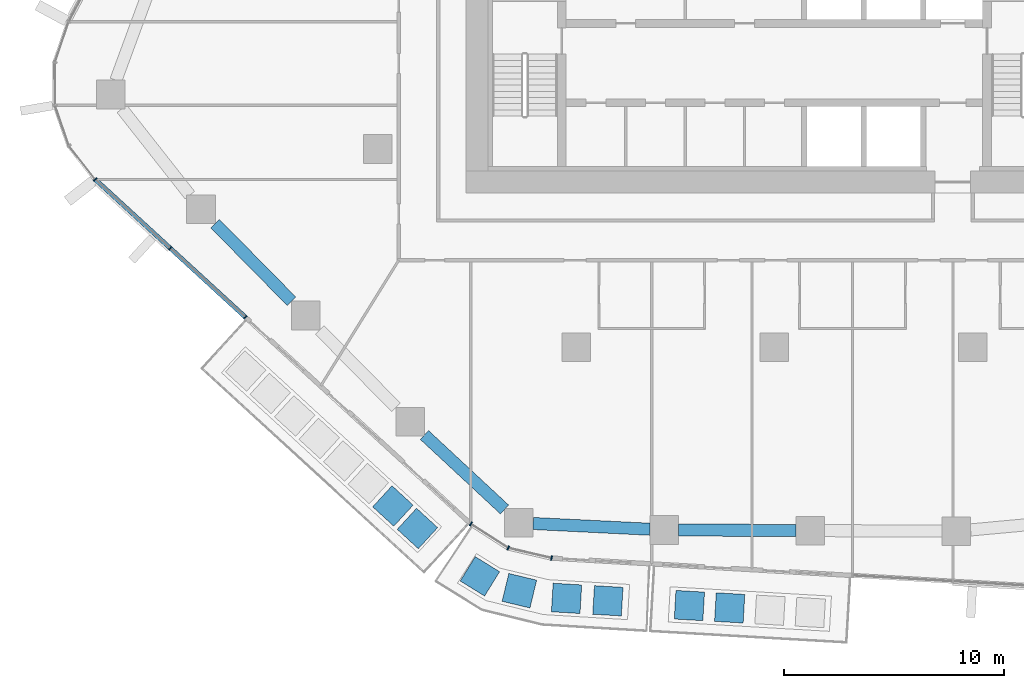
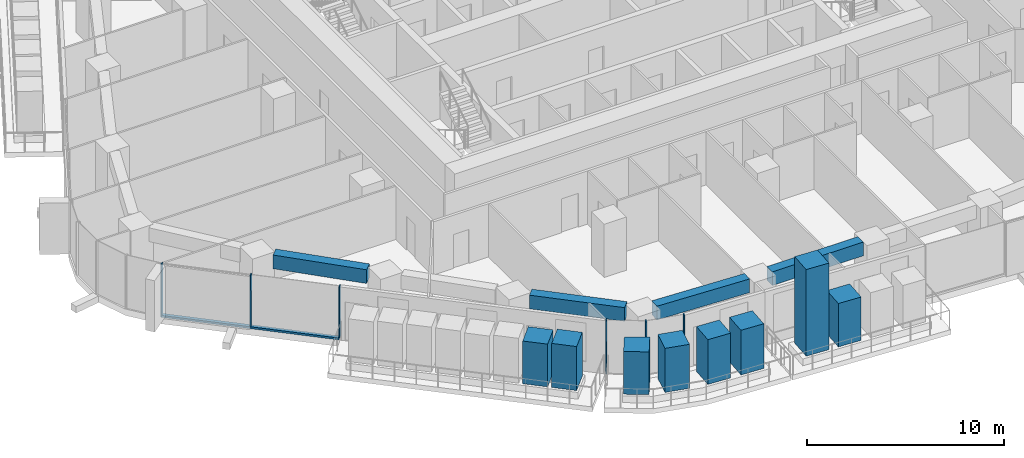
# One storey, part 2 of 24: 15 members, 4 beams, 3 elements without a shape of their own.
"""IFC4 building model written with IfcOpenShell, lengths in metres."""

from ifc_helpers import new_model, si_unit, direction, frame, origin, origin_2d, place, context, subcontext, project, spatial, rectangle, extrude, material, layer, layer_set, material_profile, profile_set, type_object, element, aggregate, save


model = new_model("IFC4")

# Units and contexts
model_context = context("Model", 3, precision=1e-05, world=origin(), true_north=direction((0.0, 1.0)))
body_context = subcontext(model_context, "Body", "Model", "MODEL_VIEW")
ifc_project = project(units=[si_unit("LENGTHUNIT", "METRE"), si_unit("AREAUNIT", "SQUARE_METRE"), si_unit("VOLUMEUNIT", "CUBIC_METRE"), si_unit("PLANEANGLEUNIT", "RADIAN"), si_unit("MASSUNIT", "GRAM", prefix="KILO")], contexts=[model_context])

# Site, building, storey
site_placement = place(None, origin())
site = spatial("IfcSite", under=ifc_project, at=site_placement, CompositionType="ELEMENT")
building_placement = place(site_placement, origin())
building = spatial("IfcBuilding", under=site, at=building_placement, Name="Dongbaek Canopy Tower", CompositionType="ELEMENT")
storey_placement = place(building_placement, frame((0.0, 0.0, 124.800048828125)))
storey = spatial("IfcBuildingStorey", under=building, at=storey_placement, Name="L27", CompositionType="ELEMENT", Elevation=124.800048828125)

# Curtain wall, member
ifc_material_1 = material(Name="Aluminium 6063-T6 pale anodised", Category="aluminium")
ifc_layer = layer(ifc_material_1, 0.199951171875)
ifc_layer_set = layer_set([ifc_layer], Name="CW-1 unitised tower curtain wall")
curtain_wall_type = type_object("IfcCurtainWallType", Name="CW-1 unitised tower curtain wall", PredefinedType="NOTDEFINED", material=ifc_layer_set)
curtain_wall_1_placement = place(storey_placement, origin())
curtain_wall_1 = element("IfcCurtainWall", 1, at=curtain_wall_1_placement, inside=storey, type_object=curtain_wall_type, Name="CW-1 curtain wall K3.1", PredefinedType="NOTDEFINED")
ifc_material_2 = material(Name="Aluminium 6063-T6 pale anodised", Category="aluminium")
ifc_material_profile_1 = material_profile(ifc_material_2, rectangle(XDim=0.199951171875, YDim=0.06005859375, at=origin_2d()), Name="CW-1 mullion 60 x 200")
ifc_profile_set_1 = profile_set([ifc_material_profile_1], Name="Aluminium 6063-T6 pale anodised")
member_type_1 = type_object("IfcMemberType", Name="CW-1 mullion 60 x 200", PredefinedType="MULLION", material=ifc_profile_set_1)
member_1_placement = place(storey_placement, frame((-30.822509765625, -10.383056640625, 0.0), z_axis=(0.0, 0.0, 1.0), x_axis=(-0.787967884973, -0.615716340737, 0.0)))
member_1 = element("IfcMember", 2, at=member_1_placement, type_object=member_type_1, Name="CW-1 mullion K3.1.5", PredefinedType="MULLION", context=body_context, shape_type="SweptSolid", body=[
    extrude(rectangle(XDim=0.199951171875, YDim=0.06005859375, at=origin_2d()), origin(), (0.0, 0.0, 1.0), 3.300048828125),
])
aggregate(curtain_wall_1, [member_1])

# Curtain wall, members
curtain_wall_2_placement = place(storey_placement, origin())
curtain_wall_2 = element("IfcCurtainWall", 3, at=curtain_wall_2_placement, inside=storey, type_object=curtain_wall_type, Name="CW-1 curtain wall F3.1", PredefinedType="NOTDEFINED")
member_2_placement = place(storey_placement, frame((-27.417236328125, -13.5068359375, 0.119873046875), z_axis=(0.0, 0.0, 1.0), x_axis=(-0.675980347655, -0.73691964934, 0.0)))
member_2 = element("IfcMember", 4, at=member_2_placement, type_object=member_type_1, Name="CW-1 mullion F3.1.2", PredefinedType="MULLION", context=body_context, shape_type="SweptSolid", body=[
    extrude(rectangle(XDim=0.199951171875, YDim=0.06005859375, at=origin_2d()), origin(), (0.0, 0.0, 1.0), 3.18017578125),
])
member_3_placement = place(storey_placement, frame((-24.005615234375, -16.63623046875, 0.119873046875), z_axis=(0.0, 0.0, 1.0), x_axis=(-0.675980347655, -0.73691964934, 0.0)))
member_3 = element("IfcMember", 5, at=member_3_placement, type_object=member_type_1, Name="CW-1 mullion F3.1.3", PredefinedType="MULLION", context=body_context, shape_type="SweptSolid", body=[
    extrude(rectangle(XDim=0.199951171875, YDim=0.06005859375, at=origin_2d()), origin(), (0.0, 0.0, 1.0), 3.18017578125),
])

curtain_wall_3_placement = place(storey_placement, origin())
curtain_wall_3 = element("IfcCurtainWall", 6, at=curtain_wall_3_placement, inside=storey, type_object=curtain_wall_type, Name="CW-1 curtain wall K4.1", PredefinedType="NOTDEFINED")
member_4_placement = place(storey_placement, frame((-13.777099609375, -26.018798828125, 0.0), z_axis=(0.0, 0.0, 1.0), x_axis=(-0.540614176933, -0.84127065306, 0.0)))
member_4 = element("IfcMember", 7, at=member_4_placement, type_object=member_type_1, Name="CW-1 mullion K4.1.1", PredefinedType="MULLION", context=body_context, shape_type="SweptSolid", body=[
    extrude(rectangle(XDim=0.199951171875, YDim=0.06005859375, at=origin_2d()), origin(), (0.0, 0.0, 1.0), 3.300048828125),
])
member_5_placement = place(storey_placement, frame((-12.079833984375, -27.109619140625, 0.0), z_axis=(0.0, 0.0, 1.0), x_axis=(-0.389454972815, -0.921045506014, 0.0)))
member_5 = element("IfcMember", 8, at=member_5_placement, type_object=member_type_1, Name="CW-1 mullion K4.1.2", PredefinedType="MULLION", context=body_context, shape_type="SweptSolid", body=[
    extrude(rectangle(XDim=0.199951171875, YDim=0.06005859375, at=origin_2d()), origin(), (0.0, 0.0, 1.0), 3.300048828125),
])
member_6_placement = place(storey_placement, frame((-10.11474609375, -27.567626953125, 0.0), z_axis=(0.0, 0.0, 1.0), x_axis=(-0.226918569092, -0.973913734887, 0.0)))
member_6 = element("IfcMember", 9, at=member_6_placement, type_object=member_type_1, Name="CW-1 mullion K4.1.3", PredefinedType="MULLION", context=body_context, shape_type="SweptSolid", body=[
    extrude(rectangle(XDim=0.199951171875, YDim=0.06005859375, at=origin_2d()), origin(), (0.0, 0.0, 1.0), 3.300048828125),
])
aggregate(curtain_wall_3, [member_4, member_5, member_6])

# Member
ifc_material_3 = material(Name="Aluminium 6063-T6 pale anodised", Category="aluminium")
ifc_material_profile_2 = material_profile(ifc_material_3, rectangle(XDim=0.199951171875, YDim=0.1201171875, at=origin_2d()), Name="CW-1 transom 120 x 200")
ifc_profile_set_2 = profile_set([ifc_material_profile_2], Name="Aluminium 6063-T6 pale anodised")
member_type_2 = type_object("IfcMemberType", Name="CW-1 transom 120 x 200", PredefinedType="USERDEFINED", material=ifc_profile_set_2)
member_7_placement = place(storey_placement, frame((-30.822509765625, -10.383056640625, 0.06005859375), z_axis=(0.73691965449, -0.675980342041, 0.0), x_axis=(0.675980342041, 0.73691965449, 0.0)))
member_7 = element("IfcMember", 10, at=member_7_placement, type_object=member_type_2, Name="CW-1 transom F3.1.1", ObjectType="TRANSOM", PredefinedType="USERDEFINED", context=body_context, shape_type="SweptSolid", body=[
    extrude(rectangle(XDim=0.199951171875, YDim=0.1201171875, at=origin_2d()), origin(), (0.0, 0.0, 1.0), 9.25048828125),
])

aggregate(curtain_wall_2, [member_2, member_3, member_7])

# Beams
ifc_material_4 = material(Name="Concrete C80", Category="concrete")
ifc_material_profile_3 = material_profile(ifc_material_4, rectangle(XDim=0.550048828125, YDim=0.85009765625, at=origin_2d()), Name="RC EDGE BEAM 550x850 C80")
ifc_profile_set_3 = profile_set([ifc_material_profile_3], Name="Concrete C80")
beam_type = type_object("IfcBeamType", Name="RC EDGE BEAM 550x850 C80", PredefinedType="BEAM", material=ifc_profile_set_3)
beam_1_placement = place(storey_placement, frame((0.97900390625, -26.316162109375, 2.875), z_axis=(-0.999990328846, 0.004397978357, 0.0), x_axis=(-0.004397978357, -0.999990328846, 0.0)))
element("IfcBeam", 11, at=beam_1_placement, inside=storey, type_object=beam_type, Name="EDGEBEAM:L27:02", PredefinedType="BEAM", context=body_context, shape_type="SweptSolid", body=[
    extrude(rectangle(XDim=0.550048828125, YDim=0.85009765625, at=origin_2d()), origin(), (0.0, 0.0, 1.0), 5.3291015625),
])
beam_2_placement = place(storey_placement, frame((-5.64990234375, -26.258056640625, 2.875), z_axis=(-0.998796128786, 0.049053981722, 0.0), x_axis=(-0.049053981722, -0.998796128786, 0.0)))
element("IfcBeam", 12, at=beam_2_placement, inside=storey, type_object=beam_type, Name="EDGEBEAM:L27:03", PredefinedType="BEAM", context=body_context, shape_type="SweptSolid", body=[
    extrude(rectangle(XDim=0.550048828125, YDim=0.85009765625, at=origin_2d()), origin(), (0.0, 0.0, 1.0), 5.305419921875),
])
beam_3_placement = place(storey_placement, frame((-12.2490234375, -25.361328125, 2.875), z_axis=(-0.732272884801, 0.681011323097, 0.0), x_axis=(-0.681011323097, -0.732272884801, 0.0)))
element("IfcBeam", 13, at=beam_3_placement, inside=storey, type_object=beam_type, Name="EDGEBEAM:L27:04", PredefinedType="BEAM", context=body_context, shape_type="SweptSolid", body=[
    extrude(rectangle(XDim=0.550048828125, YDim=0.85009765625, at=origin_2d()), origin(), (0.0, 0.0, 1.0), 4.962646484375),
])
beam_4_placement = place(storey_placement, frame((-21.9169921875, -15.909912109375, 2.875), z_axis=(-0.70172014863, 0.712452688259, 0.0), x_axis=(-0.712452688259, -0.70172014863, 0.0)))
element("IfcBeam", 14, at=beam_4_placement, inside=storey, type_object=beam_type, Name="EDGEBEAM:L27:06", PredefinedType="BEAM", context=body_context, shape_type="SweptSolid", body=[
    extrude(rectangle(XDim=0.550048828125, YDim=0.85009765625, at=origin_2d()), origin(), (0.0, 0.0, 1.0), 4.936279296875),
])

# Members
ifc_material_5 = material(Name="Concrete C40/50 planter mass with planting", Category="concrete")
ifc_material_profile_4 = material_profile(ifc_material_5, rectangle(XDim=1.300048828125, YDim=1.300048828125, at=origin_2d()), Name="Terrace PLANTER shrub mass 1300 x 1300")
ifc_profile_set_4 = profile_set([ifc_material_profile_4], Name="Concrete C40/50 planter mass with planting")
member_type_3 = type_object("IfcMemberType", Name="Terrace PLANTER shrub mass 1300 x 1300", PredefinedType="USERDEFINED", material=ifc_profile_set_4)
member_8_placement = place(storey_placement, frame((-17.314208984375, -25.203125, 0.419921875), z_axis=(0.0, 0.0, 1.0), x_axis=(-0.675980347655, -0.73691964934, 0.0)))
element("IfcMember", 15, at=member_8_placement, inside=storey, type_object=member_type_3, Name="Planter shrubs L27 3.7", ObjectType="PLANTER", PredefinedType="USERDEFINED", context=body_context, shape_type="SweptSolid", body=[
    extrude(rectangle(XDim=1.300048828125, YDim=1.300048828125, at=origin_2d()), origin(), (0.0, 0.0, 1.0), 2.650146484375),
])
member_9_placement = place(storey_placement, frame((-16.20068359375, -26.224609375, 0.419921875), z_axis=(0.0, 0.0, 1.0), x_axis=(-0.675980347655, -0.73691964934, 0.0)))
element("IfcMember", 16, at=member_9_placement, inside=storey, type_object=member_type_3, Name="Planter shrubs L27 3.8", ObjectType="PLANTER", PredefinedType="USERDEFINED", context=body_context, shape_type="SweptSolid", body=[
    extrude(rectangle(XDim=1.300048828125, YDim=1.300048828125, at=origin_2d()), origin(), (0.0, 0.0, 1.0), 2.72998046875),
])
member_10_placement = place(storey_placement, frame((-3.857666015625, -29.722412109375, 0.419921875), z_axis=(0.0, 0.0, 1.0), x_axis=(-0.057753163239, -0.998330893109, 0.0)))
element("IfcMember", 17, at=member_10_placement, inside=storey, type_object=member_type_3, Name="Planter tree L27 4.1", ObjectType="PLANTER", PredefinedType="USERDEFINED", context=body_context, shape_type="SweptSolid", body=[
    extrude(rectangle(XDim=1.300048828125, YDim=1.300048828125, at=origin_2d()), origin(), (0.0, 0.0, 1.0), 5.3701171875),
])
member_11_placement = place(storey_placement, frame((-2.02880859375, -29.828369140625, 0.419921875), z_axis=(0.0, 0.0, 1.0), x_axis=(-0.057753163239, -0.998330893109, 0.0)))
element("IfcMember", 18, at=member_11_placement, inside=storey, type_object=member_type_3, Name="Planter shrubs L27 4.2", ObjectType="PLANTER", PredefinedType="USERDEFINED", context=body_context, shape_type="SweptSolid", body=[
    extrude(rectangle(XDim=1.300048828125, YDim=1.300048828125, at=origin_2d()), origin(), (0.0, 0.0, 1.0), 2.68994140625),
])
member_12_placement = place(storey_placement, frame((-13.365234375, -28.396728515625, 0.419921875), z_axis=(0.0, 0.0, 1.0), x_axis=(-0.525496148357, -0.850795979105, 0.0)))
element("IfcMember", 19, at=member_12_placement, inside=storey, type_object=member_type_3, Name="Planter shrubs L27 7.1", ObjectType="PLANTER", PredefinedType="USERDEFINED", context=body_context, shape_type="SweptSolid", body=[
    extrude(rectangle(XDim=1.300048828125, YDim=1.300048828125, at=origin_2d()), origin(), (0.0, 0.0, 1.0), 2.650146484375),
])
member_13_placement = place(storey_placement, frame((-11.573974609375, -29.049560546875, 0.419921875), z_axis=(0.0, 0.0, 1.0), x_axis=(-0.234190600206, -0.972190702885, 0.0)))
element("IfcMember", 20, at=member_13_placement, inside=storey, type_object=member_type_3, Name="Planter shrubs L27 7.2", ObjectType="PLANTER", PredefinedType="USERDEFINED", context=body_context, shape_type="SweptSolid", body=[
    extrude(rectangle(XDim=1.300048828125, YDim=1.300048828125, at=origin_2d()), origin(), (0.0, 0.0, 1.0), 2.72998046875),
])
member_14_placement = place(storey_placement, frame((-9.4326171875, -29.395263671875, 0.419921875), z_axis=(0.0, 0.0, 1.0), x_axis=(-0.059395433362, -0.998234532811, 0.0)))
element("IfcMember", 21, at=member_14_placement, inside=storey, type_object=member_type_3, Name="Planter shrubs L27 7.3", ObjectType="PLANTER", PredefinedType="USERDEFINED", context=body_context, shape_type="SweptSolid", body=[
    extrude(rectangle(XDim=1.300048828125, YDim=1.300048828125, at=origin_2d()), origin(), (0.0, 0.0, 1.0), 2.780029296875),
])
member_15_placement = place(storey_placement, frame((-7.556884765625, -29.5068359375, 0.419921875), z_axis=(0.0, 0.0, 1.0), x_axis=(-0.059395433362, -0.998234532811, 0.0)))
element("IfcMember", 22, at=member_15_placement, inside=storey, type_object=member_type_3, Name="Planter shrubs L27 7.4", ObjectType="PLANTER", PredefinedType="USERDEFINED", context=body_context, shape_type="SweptSolid", body=[
    extrude(rectangle(XDim=1.300048828125, YDim=1.300048828125, at=origin_2d()), origin(), (0.0, 0.0, 1.0), 2.77001953125),
])

save(model, "model.ifc")
